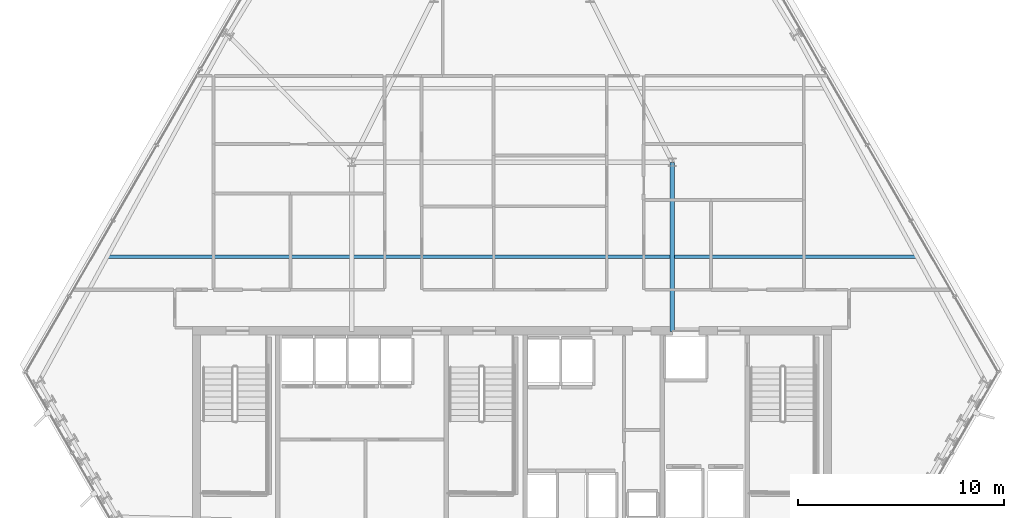
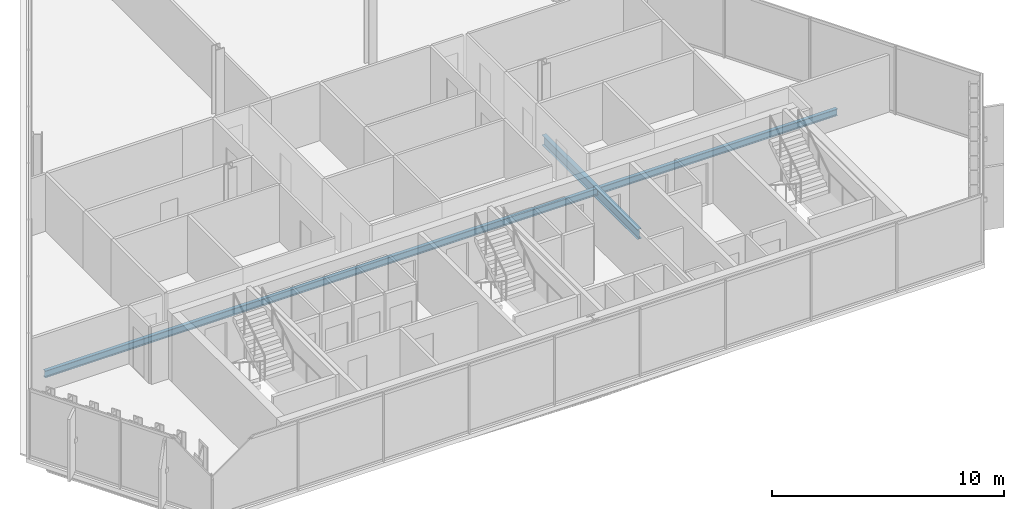
# One storey, part 9 of 34: 2 beams.
"""IFC4 building model written with IfcOpenShell, lengths in metres."""

import ifcopenshell
import ifcopenshell.guid

model = None  # the IFC model being written
_history = None  # IfcOwnerHistory: only IFC2X3 demands one
_inside = {}  # id of a spatial element -> (the spatial element, [elements in it])
_under = {}  # id of a project, library or spatial element -> (it, [spatial elements below it])
_declared = {}  # id of a project -> (the project, [libraries it declares])
_typed = {}  # id of a type object -> (the type object, [elements of that type])
_made_of = {}  # id of a material, layer set ... -> (it, [elements and type objects made of it])


def new_model(schema):
    """Start an empty IFC model of exactly this schema.

    Asked for "IFC4X3", IfcOpenShell would pick the latest addendum, in which some entities
    have other attributes; the version numbers below select the first issue.
    IFC2X3 requires an IfcOwnerHistory on every rooted entity: one is made here for all.
    """
    global model, _history
    if schema == "IFC4X3":
        model = ifcopenshell.file(schema_version=(4, 3, 0, 0))
    else:
        model = ifcopenshell.file(schema=schema)
    _inside.clear()
    _under.clear()
    _declared.clear()
    _typed.clear()
    _made_of.clear()
    _history = None
    if model.schema == "IFC2X3":
        org = make("IfcOrganization", Name="unknown")
        user = make(
            "IfcPersonAndOrganization",
            ThePerson=make("IfcPerson", FamilyName="unknown"),
            TheOrganization=org,
        )
        app = make(
            "IfcApplication",
            ApplicationDeveloper=org,
            Version="unknown",
            ApplicationFullName="unknown",
            ApplicationIdentifier="unknown",
        )
        _history = make(
            "IfcOwnerHistory",
            OwningUser=user,
            OwningApplication=app,
            ChangeAction="ADDED",
            CreationDate=0,
        )
    return model


def make(cls, **values):
    """One entity of the class cls with the attributes given. An attribute that is None is left unset."""
    return model.create_entity(
        cls, **{name: value for name, value in values.items() if value is not None}
    )


def rooted(cls, **values):
    """An entity with a GlobalId (a new one), such as an element, a storey or a relation."""
    return make(cls, GlobalId=ifcopenshell.guid.new(), OwnerHistory=_history, **values)


def si_unit(unit_type, name, prefix=None):
    """IfcSIUnit, for example si_unit("LENGTHUNIT", "METRE", prefix="MILLI")."""
    return make("IfcSIUnit", UnitType=unit_type, Prefix=prefix, Name=name)


def assignment(units):
    """IfcUnitAssignment: the units of a project."""
    return None if units is None else make("IfcUnitAssignment", Units=units)


def point(xyz):
    """IfcCartesianPoint."""
    return None if xyz is None else make("IfcCartesianPoint", Coordinates=xyz)


def direction(xyz):
    """IfcDirection."""
    return None if xyz is None else make("IfcDirection", DirectionRatios=xyz)


def frame(location, z_axis=None, x_axis=None):
    """IfcAxis2Placement3D, a coordinate frame: its origin and axes. An axis left out is left unset."""
    return make(
        "IfcAxis2Placement3D",
        Location=point(location),
        Axis=direction(z_axis),
        RefDirection=direction(x_axis),
    )


def frame_2d(location, x_axis=None):
    """IfcAxis2Placement2D, a coordinate frame in the plane: its origin and x axis."""
    return make(
        "IfcAxis2Placement2D", Location=point(location), RefDirection=direction(x_axis)
    )


def origin():
    """The frame at (0, 0, 0) with its axes left unset."""
    return frame((0.0, 0.0, 0.0))


def origin_2d():
    """The frame at (0, 0) in the plane with its x axis left unset."""
    return frame_2d((0.0, 0.0))


def place(relative_to, where):
    """IfcLocalPlacement: puts the frame where relative to a parent placement (None: the world)."""
    return make(
        "IfcLocalPlacement", PlacementRelTo=relative_to, RelativePlacement=where
    )


def context(
    kind, dimensions, precision=None, world=None, true_north=None, identifier=None
):
    """IfcGeometricRepresentationContext, for example the 3D "Model" context."""
    return make(
        "IfcGeometricRepresentationContext",
        ContextIdentifier=identifier,
        ContextType=kind,
        CoordinateSpaceDimension=dimensions,
        Precision=precision,
        WorldCoordinateSystem=world,
        TrueNorth=true_north,
    )


def subcontext(parent, identifier, kind, view, scale=None):
    """IfcGeometricRepresentationSubContext, for example "Body" below "Model"."""
    return make(
        "IfcGeometricRepresentationSubContext",
        ContextIdentifier=identifier,
        ContextType=kind,
        ParentContext=parent,
        TargetScale=scale,
        TargetView=view,
    )


def project(units=None, contexts=None):
    """IfcProject with its units and contexts."""
    return rooted(
        "IfcProject",
        Name="project",
        RepresentationContexts=contexts,
        UnitsInContext=assignment(units),
    )


def spatial(cls, under=None, at=None, **own):
    """A site, building, storey or space (cls), placed at a placement, below another one or the project."""
    s = rooted(cls, ObjectPlacement=at, **own)
    if under is not None:
        _under.setdefault(under.id(), (under, []))[1].append(s)
    return s


def profile(cls, at=None, kind="AREA", **sizes):
    """A parametric profile (cls). Its sizes go by their IFC names, for example OverallWidth=200.0."""
    return make(cls, ProfileType=kind, Position=at, **sizes)


def i_section(**sizes):
    """IfcIShapeProfileDef."""
    return profile("IfcIShapeProfileDef", **sizes)


def extrude(swept, where, along, depth):
    """IfcExtrudedAreaSolid: the profile swept, set in the frame where, extruded along a direction by depth."""
    return make(
        "IfcExtrudedAreaSolid",
        SweptArea=swept,
        Position=where,
        ExtrudedDirection=direction(along),
        Depth=depth,
    )


def shape(context_of_items, identifier, shape_type, items):
    """IfcShapeRepresentation: the items that make up one representation, for example the "Body"."""
    return make(
        "IfcShapeRepresentation",
        ContextOfItems=context_of_items,
        RepresentationIdentifier=identifier,
        RepresentationType=shape_type,
        Items=items,
    )


def material(Name=None, Category=None):
    """IfcMaterial."""
    return make("IfcMaterial", Name=Name, Category=Category)


def material_profile(
    of_material, cross_section, Name=None, Category=None, Priority=None
):
    """IfcMaterialProfile: a cross section and its material."""
    return make(
        "IfcMaterialProfile",
        Name=Name,
        Material=of_material,
        Profile=cross_section,
        Priority=Priority,
        Category=Category,
    )


def profile_set(profiles, Name=None, composite=None):
    """IfcMaterialProfileSet."""
    return make(
        "IfcMaterialProfileSet",
        Name=Name,
        MaterialProfiles=profiles,
        CompositeProfile=composite,
    )


def made_of(thing, what):
    """Note that an element or type object is made of a material, layer set ...; save() writes the relation."""
    if what is not None:
        _made_of.setdefault(what.id(), (what, []))[1].append(thing)
    return thing


def type_object(cls, material=None, **own):
    """A type object (cls), such as IfcWallType, which elements share."""
    return made_of(rooted(cls, **own), material)


def element(
    cls,
    number,
    at=None,
    inside=None,
    cuts=None,
    type_object=None,
    material=None,
    context=None,
    identifier="Body",
    shape_type=None,
    held_by="IfcProductDefinitionShape",
    body=None,
    shapes=None,
    **own,
):
    """One element of the class cls, such as IfcWall. Its Tag is "e" and its number.

    at: its placement. inside: the storey or other place that contains it. cuts: it is an
    opening in that element (IfcRelVoidsElement). A single representation is given by context,
    identifier, shape_type and body (its items); several are given by shapes. held_by: the class
    of the entity that holds the representations. save() writes the other relations.
    """
    e = rooted(cls, Tag="e%d" % number, ObjectPlacement=at, **own)
    if body is not None:
        shapes = [shape(context, identifier, shape_type, body)]
    if shapes is not None:
        e.Representation = make(held_by, Representations=shapes)
    if inside is not None:
        _inside.setdefault(inside.id(), (inside, []))[1].append(e)
    if cuts is not None:
        rooted(
            "IfcRelVoidsElement", RelatingBuildingElement=cuts, RelatedOpeningElement=e
        )
    if type_object is not None:
        _typed.setdefault(type_object.id(), (type_object, []))[1].append(e)
    return made_of(e, material)


def aggregate(whole, parts):
    """IfcRelAggregates: a whole, such as a stair, and the parts it consists of."""
    return rooted("IfcRelAggregates", RelatingObject=whole, RelatedObjects=parts)


def save(model, path):
    """Write the relations noted so far, then the file.

    IfcRelAggregates (storeys below a building ...), IfcRelContainedInSpatialStructure (elements
    in a storey), IfcRelDefinesByType, IfcRelAssociatesMaterial and IfcRelDeclares: one each for
    every whole, place, type object, material and project.
    """
    for whole, parts in _under.values():
        aggregate(whole, parts)
    for where, things in _inside.values():
        rooted(
            "IfcRelContainedInSpatialStructure",
            RelatedElements=things,
            RelatingStructure=where,
        )
    for kind, things in _typed.values():
        rooted("IfcRelDefinesByType", RelatedObjects=things, RelatingType=kind)
    for what, things in _made_of.values():
        rooted("IfcRelAssociatesMaterial", RelatedObjects=things, RelatingMaterial=what)
    for by, libraries in _declared.values():
        rooted("IfcRelDeclares", RelatingContext=by, RelatedDefinitions=libraries)
    model.write(path)


model = new_model("IFC4")

# Units and contexts
model_context = context("Model", 3, precision=1e-05, world=origin(), true_north=direction((0.0, 1.0)))
body_context = subcontext(model_context, "Body", "Model", "MODEL_VIEW")
ifc_project = project(units=[si_unit("LENGTHUNIT", "METRE"), si_unit("AREAUNIT", "SQUARE_METRE"), si_unit("VOLUMEUNIT", "CUBIC_METRE"), si_unit("PLANEANGLEUNIT", "RADIAN"), si_unit("MASSUNIT", "GRAM", prefix="KILO")], contexts=[model_context])

# Site, building, storey
site_placement = place(None, origin())
site = spatial("IfcSite", under=ifc_project, at=site_placement, CompositionType="ELEMENT")
building_placement = place(site_placement, origin())
building = spatial("IfcBuilding", under=site, at=building_placement, Name="Ndaravel Arena Tower", CompositionType="ELEMENT")
storey_placement = place(building_placement, frame((0.0, 0.0, 191.60009765625)))
storey = spatial("IfcBuildingStorey", under=building, at=storey_placement, Name="L46", CompositionType="ELEMENT", Elevation=191.60009765625)

# Beams
ifc_material_1 = material(Name="Steel S355", Category="steel")
ifc_material_profile_1 = material_profile(ifc_material_1, i_section(OverallWidth=0.210693359375, OverallDepth=0.53955078125, WebThickness=0.01171875, FlangeThickness=0.018798828125, FilletRadius=0.0126953125, at=origin_2d()), Name="UB 533x210x109")
ifc_profile_set_1 = profile_set([ifc_material_profile_1], Name="Steel S355")
beam_type_1 = type_object("IfcBeamType", Name="BM-GIRD-UB533", PredefinedType="BEAM", material=ifc_profile_set_1)
beam_1_placement = place(storey_placement, frame((49.800048828125, 14.97998046875, -0.48974609375), z_axis=(0.0, 1.0, 0.0), x_axis=(-1.0, 0.0, 0.0)))
element("IfcBeam", 1, at=beam_1_placement, inside=storey, type_object=beam_type_1, Name="L46 Spine Link Girder SLG-02", PredefinedType="BEAM", context=body_context, shape_type="SweptSolid", body=[
    extrude(i_section(OverallWidth=0.210693359375, OverallDepth=0.53955078125, WebThickness=0.01171875, FlangeThickness=0.018798828125, FilletRadius=0.0126953125, at=origin_2d()), origin(), (0.0, 0.0, 1.0), 8.219970703125),
])
ifc_material_2 = material(Name="Steel S355", Category="steel")
ifc_material_profile_2 = material_profile(ifc_material_2, i_section(OverallWidth=0.172119140625, OverallDepth=0.35791015625, WebThickness=0.008056640625, FlangeThickness=0.012939453125, FilletRadius=0.01025390625, at=origin_2d()), Name="UB 356x171x57")
ifc_profile_set_2 = profile_set([ifc_material_profile_2], Name="Steel S355")
beam_type_2 = type_object("IfcBeamType", Name="BM-JOIST-UB356", PredefinedType="JOIST", material=ifc_profile_set_2)
beam_2_placement = place(storey_placement, frame((22.301513671875, 18.60009765625, -0.399169921875), z_axis=(1.0, 0.0, 0.0), x_axis=(0.0, 1.0, 0.0)))
element("IfcBeam", 2, at=beam_2_placement, inside=storey, type_object=beam_type_2, Name="L46 Composite Floor Joist FJ-01", PredefinedType="JOIST", context=body_context, shape_type="SweptSolid", body=[
    extrude(i_section(OverallWidth=0.172119140625, OverallDepth=0.35791015625, WebThickness=0.008056640625, FlangeThickness=0.012939453125, FilletRadius=0.01025390625, at=origin_2d()), origin(), (0.0, 0.0, 1.0), 39.39697265625),
])

save(model, "model.ifc")
